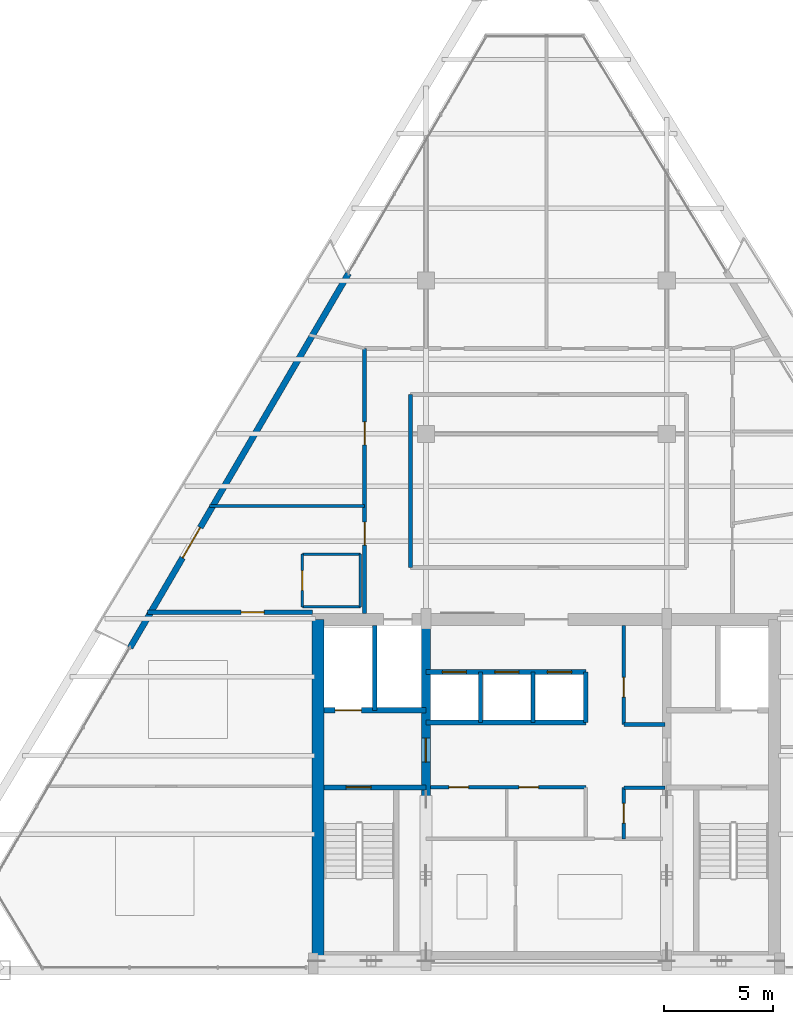
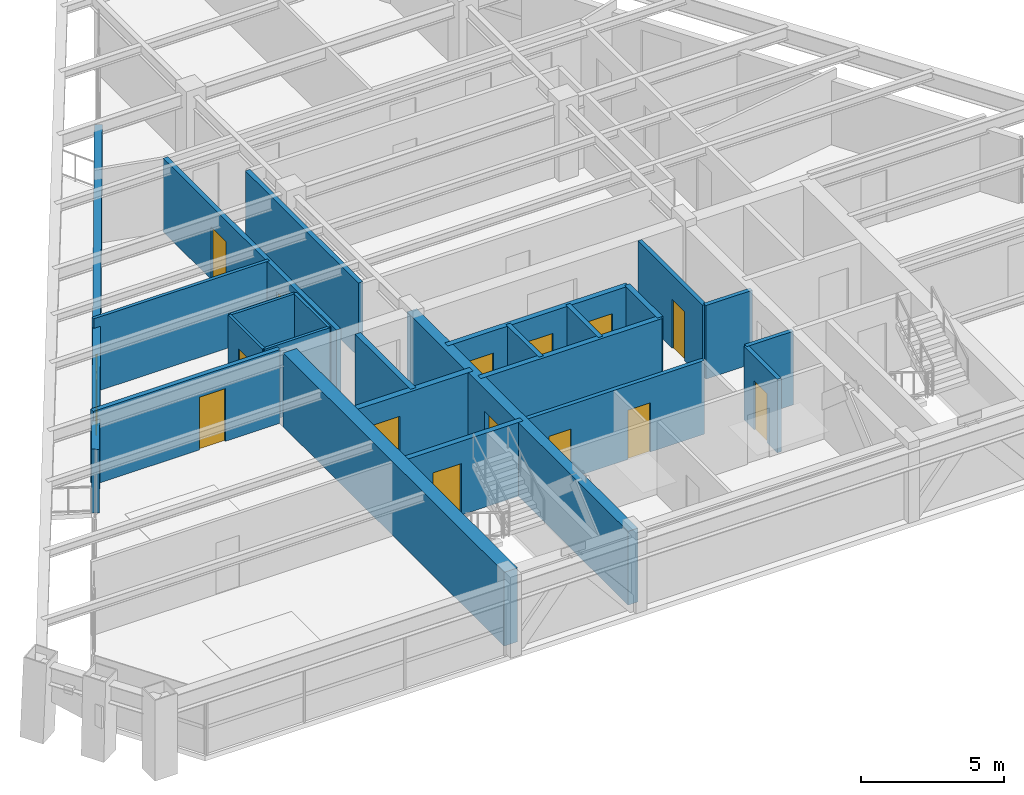
# One storey, part 9 of 13: 24 walls, 15 doors, 15 openings.
"""IFC4 building model written with IfcOpenShell, lengths in metres."""

from ifc_helpers import new_model, si_unit, direction, frame, frame_2d, origin, place, context, subcontext, project, spatial, rectangle, extrude, source, transform, mapped, material, layer, layer_set, type_object, type_shapes, element, fill, save


model = new_model("IFC4")

# Units and contexts
model_context = context("Model", 3, precision=1e-05, world=origin(), true_north=direction((0.0, 1.0)))
body_context = subcontext(model_context, "Body", "Model", "MODEL_VIEW")
ifc_project = project(units=[si_unit("LENGTHUNIT", "METRE"), si_unit("AREAUNIT", "SQUARE_METRE"), si_unit("VOLUMEUNIT", "CUBIC_METRE"), si_unit("PLANEANGLEUNIT", "RADIAN"), si_unit("MASSUNIT", "GRAM", prefix="KILO")], contexts=[model_context])

# Site, building, storey
site_placement = place(None, origin())
site = spatial("IfcSite", under=ifc_project, at=site_placement, CompositionType="ELEMENT")
building_placement = place(site_placement, origin())
building = spatial("IfcBuilding", under=site, at=building_placement, Name="Varnakhor Terracotta Tower", CompositionType="ELEMENT")
storey_placement = place(building_placement, frame((0.0, 0.0, 254.5)))
storey = spatial("IfcBuildingStorey", under=building, at=storey_placement, Name="L66", CompositionType="ELEMENT", Elevation=254.5)

# Walls
ifc_material_1 = material(Name="Moisture-Resistant Tile-Backed Partition", Category="gypsum")
ifc_layer_1 = layer(ifc_material_1, 0.114990234375, Name="Moisture-Resistant Tile-Backed Partition")
ifc_layer_set_1 = layer_set([ifc_layer_1], Name="Moisture-Resistant Tile-Backed Partition")
wall_type_1 = type_object("IfcWallType", Name="WAL-BATH-115", PredefinedType="PARTITIONING", material=ifc_layer_set_1)
for number, where, z_axis, x_axis, name in (
    (1, (-11.14990234375, 16.60009765625, 0.0), (0.0, 0.0, 1.0), (1.0, 0.0, 0.0), "L66 En-Suite 1 Wall S"),
    (2, (-11.14990234375, 19.0, 0.0), (0.0, 0.0, 1.0), (1.0, 0.0, 0.0), "L66 En-Suite 1 Wall N"),
):
    element("IfcWall", number, at=place(storey_placement, frame(where, z_axis=z_axis, x_axis=x_axis)), inside=storey, type_object=wall_type_1, Name=name, PredefinedType="PARTITIONING", context=body_context, shape_type="SweptSolid", body=[
        extrude(rectangle(XDim=2.64990234375, YDim=0.114990234375, at=frame_2d((1.324951171875, 0.0))), origin(), (0.0, 0.0, 1.0), 3.14208984375),
    ])

# Wall, opening, door
wall_1_placement = place(storey_placement, frame((-11.14990234375, 16.60009765625, 0.0), z_axis=(0.0, 0.0, 1.0), x_axis=(0.0, 1.0, 0.0)))
wall_1 = element("IfcWall", 3, at=wall_1_placement, inside=storey, type_object=wall_type_1, Name="L66 En-Suite 1 Wall W", PredefinedType="PARTITIONING", context=body_context, shape_type="SweptSolid", body=[
    extrude(rectangle(XDim=2.39990234375, YDim=0.114990234375, at=frame_2d((1.199951171875, 0.0))), origin(), (0.0, 0.0, 1.0), 3.14208984375),
])
opening_1_placement = place(wall_1_placement, frame((0.75, 0.0, 0.0)))
opening_1 = element("IfcOpeningElement", 4, at=opening_1_placement, cuts=wall_1, Name="Opening DR-93", PredefinedType="OPENING", context=body_context, shape_type="SweptSolid", body=[
    extrude(rectangle(XDim=0.89990234375, YDim=2.14990234375, at=frame_2d((0.449951171875, 1.074951171875))), frame((0.0, 0.0673828125, 0.0), z_axis=(0.0, -1.0, 0.0), x_axis=(1.0, 0.0, 0.0)), (0.0, 0.0, 1.0), 0.135009765625),
])
ifc_material_2 = material(Name="Moisture-Resistant Accessible Bathroom Door", Category="wood")
door_type_1 = type_object("IfcDoorType", Name="DR-BATH-900X2150", OperationType="NOTDEFINED", PredefinedType="DOOR", material=ifc_material_2)
shared_shape_1 = source(origin(), body_context, "Body", "SweptSolid", [
    extrude(rectangle(XDim=0.89990234375, YDim=2.14990234375, at=frame_2d((0.449951171875, 1.074951171875))), frame((0.0, 0.02490234375, 0.0), z_axis=(0.0, -1.0, 0.0), x_axis=(1.0, 0.0, 0.0)), (0.0, 0.0, 1.0), 0.050048828125),
])
type_shapes(door_type_1, [shared_shape_1])
door_1_placement = place(opening_1_placement, origin())
door_1 = element("IfcDoor", 5, at=door_1_placement, inside=storey, type_object=door_type_1, Name="L66 En-Suite Bathroom 1 Door", OperationType="SINGLE_SWING_RIGHT", OverallHeight=2.14990234375, OverallWidth=0.89990234375, PredefinedType="DOOR", context=body_context, shape_type="MappedRepresentation", body=[
    mapped(shared_shape_1, transform((0.0, 0.0, 0.0), scale=1.0)),
])
fill(opening_1, door_1)

# Walls
wall_2_placement = place(storey_placement, frame((-8.5, 16.60009765625, 0.0), z_axis=(0.0, 0.0, 1.0), x_axis=(0.0, 1.0, 0.0)))
element("IfcWall", 6, at=wall_2_placement, inside=storey, type_object=wall_type_1, Name="L66 En-Suite 1 Wall E", PredefinedType="PARTITIONING", context=body_context, shape_type="SweptSolid", body=[
    extrude(rectangle(XDim=2.39990234375, YDim=0.114990234375, at=frame_2d((1.199951171875, 0.0))), origin(), (0.0, 0.0, 1.0), 3.14208984375),
])
ifc_material_3 = material(Name="Concrete C50/60", Category="concrete")
ifc_layer_2 = layer(ifc_material_3, 0.550048828125, Name="Concrete C50/60")
ifc_layer_set_2 = layer_set([ifc_layer_2], Name="Concrete C50/60")
wall_type_2 = type_object("IfcWallType", Name="WAL-CORE-550", PredefinedType="SHEAR", material=ifc_layer_set_2)
wall_3_placement = place(storey_placement, frame((-10.425048828125, 0.574951171875, 0.0), z_axis=(0.0, 0.0, 1.0), x_axis=(0.0, 1.0, 0.0)))
element("IfcWall", 7, at=wall_3_placement, inside=storey, type_object=wall_type_2, Name="L66 West Core Shear Wall", PredefinedType="SHEAR", context=body_context, shape_type="SweptSolid", body=[
    extrude(rectangle(XDim=15.449951171875, YDim=0.550048828125, at=frame_2d((7.72509765625, 0.0))), origin(), (0.0, 0.0, 1.0), 3.14990234375),
])

# Wall, opening, door
ifc_layer_3 = layer(ifc_material_3, 0.39990234375, Name="Concrete C50/60")
ifc_layer_set_3 = layer_set([ifc_layer_3], Name="Concrete C50/60")
wall_type_3 = type_object("IfcWallType", Name="WAL-CORE-WEB-400", PredefinedType="SHEAR", material=ifc_layer_set_3)
wall_4_placement = place(storey_placement, frame((-5.5, 0.574951171875, 0.0), z_axis=(0.0, 0.0, 1.0), x_axis=(0.0, 1.0, 0.0)))
wall_4 = element("IfcWall", 8, at=wall_4_placement, inside=storey, type_object=wall_type_3, Name="L66 West Core Web Shear Wall", PredefinedType="SHEAR", context=body_context, shape_type="SweptSolid", body=[
    extrude(rectangle(XDim=15.449951171875, YDim=0.39990234375, at=frame_2d((7.72509765625, 0.0))), origin(), (0.0, 0.0, 1.0), 3.14990234375),
])
opening_2_placement = place(wall_4_placement, frame((8.925048828125, 0.0, 0.0)))
opening_2 = element("IfcOpeningElement", 9, at=opening_2_placement, cuts=wall_4, Name="Opening DR-25", PredefinedType="OPENING", context=body_context, shape_type="SweptSolid", body=[
    extrude(rectangle(XDim=1.10009765625, YDim=2.199951171875, at=frame_2d((0.550048828125, 1.10009765625))), frame((0.0, 0.2099609375, 0.0), z_axis=(0.0, -1.0, 0.0), x_axis=(1.0, 0.0, 0.0)), (0.0, 0.0, 1.0), 0.419921875),
])
ifc_material_4 = material(Name="Firefighting Lobby Self-Closing Fire Door", Category="steel")
door_type_2 = type_object("IfcDoorType", Name="DR-FFL-1100X2200", OperationType="NOTDEFINED", PredefinedType="DOOR", material=ifc_material_4)
shared_shape_2 = source(origin(), body_context, "Body", "SweptSolid", [
    extrude(rectangle(XDim=1.10009765625, YDim=2.199951171875, at=frame_2d((0.550048828125, 1.10009765625))), frame((0.0, 0.02490234375, 0.0), z_axis=(0.0, -1.0, 0.0), x_axis=(1.0, 0.0, 0.0)), (0.0, 0.0, 1.0), 0.050048828125),
])
type_shapes(door_type_2, [shared_shape_2])
door_2_placement = place(opening_2_placement, origin())
door_2 = element("IfcDoor", 10, at=door_2_placement, inside=storey, type_object=door_type_2, Name="L66 West Firefighting Lobby Door", OperationType="SINGLE_SWING_RIGHT", OverallHeight=2.199951171875, OverallWidth=1.10009765625, PredefinedType="DOOR", context=body_context, shape_type="MappedRepresentation", body=[
    mapped(shared_shape_2, transform((0.0, 0.0, 0.0), scale=1.0)),
])
fill(opening_2, door_2)

# Wall
ifc_material_5 = material(Name="Fire-Rated Gypsum Stud Partition", Category="gypsum")
ifc_layer_4 = layer(ifc_material_5, 0.18505859375, Name="Fire-Rated Gypsum Stud Partition")
ifc_layer_set_4 = layer_set([ifc_layer_4], Name="Fire-Rated Gypsum Stud Partition")
wall_type_4 = type_object("IfcWallType", Name="WAL-CORR-185", PredefinedType="PARTITIONING", material=ifc_layer_set_4)
wall_5_placement = place(storey_placement, frame((-6.199951171875, 18.39990234375, 0.0), z_axis=(0.0, 0.0, 1.0), x_axis=(0.0, 1.0, 0.0)))
element("IfcWall", 11, at=wall_5_placement, inside=storey, type_object=wall_type_4, Name="L66 Ring Inner West Wall", PredefinedType="PARTITIONING", context=body_context, shape_type="SweptSolid", body=[
    extrude(rectangle(XDim=7.900146484375, YDim=0.18505859375, at=frame_2d((3.9501953125, 0.0))), origin(), (0.0, 0.0, 1.0), 3.14208984375),
])

# Wall, openings, doors
wall_6_placement = place(storey_placement, frame((-8.300048828125, 16.300048828125, 0.0), z_axis=(0.0, 0.0, 1.0), x_axis=(0.0, 1.0, 0.0)))
wall_6 = element("IfcWall", 12, at=wall_6_placement, inside=storey, type_object=wall_type_4, Name="L66 Hotel West Corridor Wall", PredefinedType="PARTITIONING", context=body_context, shape_type="SweptSolid", body=[
    extrude(rectangle(XDim=12.099853515625, YDim=0.18505859375, at=frame_2d((6.0498046875, 0.0))), origin(), (0.0, 0.0, 1.0), 3.14208984375),
])
opening_3_placement = place(wall_6_placement, frame((3.118408203125, 0.0, 0.0)))
opening_3 = element("IfcOpeningElement", 13, at=opening_3_placement, cuts=wall_6, Name="Opening DR-95", PredefinedType="OPENING", context=body_context, shape_type="SweptSolid", body=[
    extrude(rectangle(XDim=1.050048828125, YDim=2.25, at=frame_2d((0.52490234375, 1.125))), frame((0.0, 0.1025390625, 0.0), z_axis=(0.0, -1.0, 0.0), x_axis=(1.0, 0.0, 0.0)), (0.0, 0.0, 1.0), 0.205078125),
])
opening_4_placement = place(wall_6_placement, frame((7.69580078125, 0.0, 0.0)))
opening_4 = element("IfcOpeningElement", 14, at=opening_4_placement, cuts=wall_6, Name="Opening DR-95", PredefinedType="OPENING", context=body_context, shape_type="SweptSolid", body=[
    extrude(rectangle(XDim=1.050048828125, YDim=2.25, at=frame_2d((0.52490234375, 1.125))), frame((0.0, 0.1025390625, 0.0), z_axis=(0.0, -1.0, 0.0), x_axis=(1.0, 0.0, 0.0)), (0.0, 0.0, 1.0), 0.205078125),
])
ifc_material_6 = material(Name="Solid-Core Timber Tenant/Hotel Entrance Door", Category="wood")
door_type_3 = type_object("IfcDoorType", Name="DR-SUITE-1050X2250", OperationType="NOTDEFINED", PredefinedType="DOOR", material=ifc_material_6)
shared_shape_3 = source(origin(), body_context, "Body", "SweptSolid", [
    extrude(rectangle(XDim=1.050048828125, YDim=2.25, at=frame_2d((0.52490234375, 1.125))), frame((0.0, 0.02490234375, 0.0), z_axis=(0.0, -1.0, 0.0), x_axis=(1.0, 0.0, 0.0)), (0.0, 0.0, 1.0), 0.050048828125),
])
type_shapes(door_type_3, [shared_shape_3])
door_3_placement = place(opening_3_placement, origin())
door_3 = element("IfcDoor", 15, at=door_3_placement, inside=storey, type_object=door_type_3, Name="L66 West Room 1 Entry Door", OperationType="SINGLE_SWING_LEFT", OverallHeight=2.25, OverallWidth=1.050048828125, PredefinedType="DOOR", context=body_context, shape_type="MappedRepresentation", body=[
    mapped(shared_shape_3, transform((0.0, 0.0, 0.0), scale=1.0)),
])
fill(opening_3, door_3)
door_4_placement = place(opening_4_placement, origin())
door_4 = element("IfcDoor", 16, at=door_4_placement, inside=storey, type_object=door_type_3, Name="L66 West Room 2 Entry Door", OperationType="SINGLE_SWING_LEFT", OverallHeight=2.25, OverallWidth=1.050048828125, PredefinedType="DOOR", context=body_context, shape_type="MappedRepresentation", body=[
    mapped(shared_shape_3, transform((0.0, 0.0, 0.0), scale=1.0)),
])
fill(opening_4, door_4)

# Wall, opening, door
wall_7_placement = place(storey_placement, frame((-18.22021484375, 16.35009765625, 0.0), z_axis=(0.0, 0.0, 1.0), x_axis=(1.0, 0.0, 0.0)))
wall_7 = element("IfcWall", 17, at=wall_7_placement, inside=storey, type_object=wall_type_4, Name="L66 South West Guest Entry Wall", PredefinedType="PARTITIONING", context=body_context, shape_type="SweptSolid", body=[
    extrude(rectangle(XDim=7.540283203125, YDim=0.18505859375, at=frame_2d((3.77001953125, 0.0))), origin(), (0.0, 0.0, 1.0), 3.14208984375),
])
opening_5_placement = place(wall_7_placement, frame((4.274169921875, 0.0, 0.0)))
opening_5 = element("IfcOpeningElement", 18, at=opening_5_placement, cuts=wall_7, Name="Opening DR-95", PredefinedType="OPENING", context=body_context, shape_type="SweptSolid", body=[
    extrude(rectangle(XDim=1.050048828125, YDim=2.25, at=frame_2d((0.52490234375, 1.125))), frame((0.0, 0.1025390625, 0.0), z_axis=(0.0, -1.0, 0.0), x_axis=(1.0, 0.0, 0.0)), (0.0, 0.0, 1.0), 0.205078125),
])
door_5_placement = place(opening_5_placement, origin())
door_5 = element("IfcDoor", 19, at=door_5_placement, inside=storey, type_object=door_type_3, Name="L66 SW Suite Entry Door", OperationType="SINGLE_SWING_LEFT", OverallHeight=2.25, OverallWidth=1.050048828125, PredefinedType="DOOR", context=body_context, shape_type="MappedRepresentation", body=[
    mapped(shared_shape_3, transform((0.0, 0.0, 0.0), scale=1.0)),
])
fill(opening_5, door_5)

ifc_material_7 = material(Name="Extruded Architectural Terracotta Assembly", Category="masonry")
ifc_layer_5 = layer(ifc_material_7, 0.280029296875, Name="Extruded Architectural Terracotta Assembly")
ifc_layer_set_5 = layer_set([ifc_layer_5], Name="Extruded Architectural Terracotta Assembly")
wall_type_5 = type_object("IfcWallType", Name="WAL-EXT-TERRACOTTA-280", PredefinedType="SOLIDWALL", material=ifc_layer_set_5)
wall_8_placement = place(storey_placement, frame((-19.012939453125, 14.734130859375, 0.0), z_axis=(0.0, 0.0, 1.0), x_axis=(0.504219118022, 0.863575752914, 0.0)))
wall_8 = element("IfcWall", 20, at=wall_8_placement, inside=storey, type_object=wall_type_5, Name="L66 W Loggia Insulated Terracotta Wall", PredefinedType="SOLIDWALL", context=body_context, shape_type="SweptSolid", body=[
    extrude(rectangle(XDim=19.7958984375, YDim=0.280029296875, at=frame_2d((9.89794921875, 0.0))), origin(), (0.0, 0.0, 1.0), 2.72998046875),
])
opening_6_placement = place(wall_8_placement, frame((4.7509765625, 0.0, 0.0)))
opening_6 = element("IfcOpeningElement", 21, at=opening_6_placement, cuts=wall_8, Name="Opening DR-62", PredefinedType="OPENING", context=body_context, shape_type="SweptSolid", body=[
    extrude(rectangle(XDim=1.60009765625, YDim=2.35009765625, at=frame_2d((0.800048828125, 1.175048828125))), frame((0.0, 0.14990234375, 0.0), z_axis=(0.0, -1.0, 0.0), x_axis=(1.0, 0.0, 0.0)), (0.0, 0.0, 1.0), 0.300048828125),
])
ifc_material_8 = material(Name="Thermally Broken Sliding Glass Loggia Door", Category="glass")
door_type_4 = type_object("IfcDoorType", Name="DR-EXT-LOGGIA-1600X2350", OperationType="NOTDEFINED", PredefinedType="DOOR", material=ifc_material_8)
shared_shape_4 = source(origin(), body_context, "Body", "SweptSolid", [
    extrude(rectangle(XDim=1.60009765625, YDim=2.35009765625, at=frame_2d((0.800048828125, 1.175048828125))), frame((0.0, 0.02490234375, 0.0), z_axis=(0.0, -1.0, 0.0), x_axis=(1.0, 0.0, 0.0)), (0.0, 0.0, 1.0), 0.050048828125),
])
type_shapes(door_type_4, [shared_shape_4])
door_6_placement = place(opening_6_placement, origin())
door_6 = element("IfcDoor", 22, at=door_6_placement, inside=storey, type_object=door_type_4, Name="L66 W Recessed Loggia Sliding Door", OperationType="SLIDING_TO_LEFT", OverallHeight=2.35009765625, OverallWidth=1.60009765625, PredefinedType="DOOR", context=body_context, shape_type="MappedRepresentation", body=[
    mapped(shared_shape_4, transform((0.0, 0.0, 0.0), scale=1.0)),
])
fill(opening_6, door_6)

ifc_material_9 = material(Name="Concrete C40/50", Category="concrete")
ifc_layer_6 = layer(ifc_material_9, 0.219970703125, Name="Concrete C40/50")
ifc_layer_set_6 = layer_set([ifc_layer_6], Name="Concrete C40/50")
wall_type_6 = type_object("IfcWallType", Name="WAL-FFLOBBY-220", PredefinedType="SOLIDWALL", material=ifc_layer_set_6)
wall_9_placement = place(storey_placement, frame((-5.5, 8.35009765625, 0.0), z_axis=(0.0, 0.0, 1.0), x_axis=(-1.0, 0.0, 0.0)))
wall_9 = element("IfcWall", 23, at=wall_9_placement, inside=storey, type_object=wall_type_6, Name="L66 West Firefighting Lobby Stair Wall", PredefinedType="SOLIDWALL", context=body_context, shape_type="SweptSolid", body=[
    extrude(rectangle(XDim=4.64990234375, YDim=0.219970703125, at=frame_2d((2.324951171875, 0.0))), origin(), (0.0, 0.0, 1.0), 3.14990234375),
])
opening_7_placement = place(wall_9_placement, frame((2.5, 0.0, 0.0)))
opening_7 = element("IfcOpeningElement", 24, at=opening_7_placement, cuts=wall_9, Name="Opening DR-34", PredefinedType="OPENING", context=body_context, shape_type="SweptSolid", body=[
    extrude(rectangle(XDim=1.14990234375, YDim=2.199951171875, at=frame_2d((0.574951171875, 1.10009765625))), frame((0.0, 0.1201171875, 0.0), z_axis=(0.0, -1.0, 0.0), x_axis=(1.0, 0.0, 0.0)), (0.0, 0.0, 1.0), 0.239990234375),
])
ifc_material_10 = material(Name="Self-Closing Smoke-Sealed Steel Fire Door", Category="steel")
door_type_5 = type_object("IfcDoorType", Name="DR-STAIR-1150X2200", OperationType="NOTDEFINED", PredefinedType="DOOR", material=ifc_material_10)
shared_shape_5 = source(origin(), body_context, "Body", "SweptSolid", [
    extrude(rectangle(XDim=1.14990234375, YDim=2.199951171875, at=frame_2d((0.574951171875, 1.10009765625))), frame((0.0, 0.02490234375, 0.0), z_axis=(0.0, -1.0, 0.0), x_axis=(1.0, 0.0, 0.0)), (0.0, 0.0, 1.0), 0.050048828125),
])
type_shapes(door_type_5, [shared_shape_5])
door_7_placement = place(opening_7_placement, origin())
door_7 = element("IfcDoor", 25, at=door_7_placement, inside=storey, type_object=door_type_5, Name="L66 Exit Stair ST-1 Fire Door", OperationType="SINGLE_SWING_LEFT", OverallHeight=2.199951171875, OverallWidth=1.14990234375, PredefinedType="DOOR", context=body_context, shape_type="MappedRepresentation", body=[
    mapped(shared_shape_5, transform((0.0, 0.0, 0.0), scale=1.0)),
])
fill(opening_7, door_7)

# Walls
ifc_material_11 = material(Name="Acoustic Hotel Room Partition", Category="gypsum")
ifc_layer_7 = layer(ifc_material_11, 0.1298828125, Name="Acoustic Hotel Room Partition")
ifc_layer_set_7 = layer_set([ifc_layer_7], Name="Acoustic Hotel Room Partition")
wall_type_7 = type_object("IfcWallType", Name="WAL-PART-130", PredefinedType="PARTITIONING", material=ifc_layer_set_7)
wall_10_placement = place(storey_placement, frame((-15.38818359375, 21.199951171875, 0.0), z_axis=(0.0, 0.0, 1.0), x_axis=(1.0, 0.0, 0.0)))
element("IfcWall", 26, at=wall_10_placement, inside=storey, type_object=wall_type_7, Name="L66 West Key Cut 1", PredefinedType="PARTITIONING", context=body_context, shape_type="SweptSolid", body=[
    extrude(rectangle(XDim=7.088134765625, YDim=0.1298828125, at=frame_2d((3.5439453125, 0.0))), origin(), (0.0, 0.0, 1.0), 3.14208984375),
])
ifc_layer_8 = layer(ifc_material_9, 0.179931640625, Name="Concrete C40/50")
ifc_layer_set_8 = layer_set([ifc_layer_8], Name="Concrete C40/50")
wall_type_8 = type_object("IfcWallType", Name="WAL-SHAFT-180", PredefinedType="SOLIDWALL", material=ifc_layer_set_8)
for number, where, z_axis, x_axis, name in (
    (27, (-3.0, 11.320068359375, 0.0), (0.0, 0.0, 1.0), (0.0, 1.0, 0.0), "L66 PL-3A Divider"),
    (28, (-0.60009765625, 11.320068359375, 0.0), (0.0, 0.0, 1.0), (0.0, 1.0, 0.0), "L66 PL-3B Divider"),
):
    element("IfcWall", number, at=place(storey_placement, frame(where, z_axis=z_axis, x_axis=x_axis)), inside=storey, type_object=wall_type_8, Name=name, PredefinedType="SOLIDWALL", context=body_context, shape_type="SweptSolid", body=[
        extrude(rectangle(XDim=2.300048828125, YDim=0.179931640625, at=frame_2d((1.14990234375, 0.0))), origin(), (0.0, 0.0, 1.0), 3.14990234375),
    ])
ifc_layer_9 = layer(ifc_material_9, 0.219970703125, Name="Concrete C40/50")
ifc_layer_set_9 = layer_set([ifc_layer_9], Name="Concrete C40/50")
wall_type_9 = type_object("IfcWallType", Name="WAL-SHAFT-220", PredefinedType="SOLIDWALL", material=ifc_layer_set_9)
wall_11_placement = place(storey_placement, frame((-7.840087890625, 11.8701171875, 0.0), z_axis=(0.0, 0.0, 1.0), x_axis=(0.0, 1.0, 0.0)))
element("IfcWall", 29, at=wall_11_placement, inside=storey, type_object=wall_type_9, Name="L66 Lift FFL-1 and SVL-1 Divider Wall", PredefinedType="SOLIDWALL", context=body_context, shape_type="SweptSolid", body=[
    extrude(rectangle(XDim=3.8798828125, YDim=0.219970703125, at=frame_2d((1.93994140625, 0.0))), origin(), (0.0, 0.0, 1.0), 3.14990234375),
])
wall_12_placement = place(storey_placement, frame((-5.5, 11.320068359375, 0.0), z_axis=(0.0, 0.0, 1.0), x_axis=(1.0, 0.0, 0.0)))
element("IfcWall", 30, at=wall_12_placement, inside=storey, type_object=wall_type_9, Name="L66 Bank 3 South Shaft Wall", PredefinedType="SOLIDWALL", context=body_context, shape_type="SweptSolid", body=[
    extrude(rectangle(XDim=7.320068359375, YDim=0.219970703125, at=frame_2d((3.66015625, 0.0))), origin(), (0.0, 0.0, 1.0), 3.14990234375),
])

# Wall, openings, doors
wall_13_placement = place(storey_placement, frame((-5.5, 13.6201171875, 0.0), z_axis=(0.0, 0.0, 1.0), x_axis=(1.0, 0.0, 0.0)))
wall_13 = element("IfcWall", 31, at=wall_13_placement, inside=storey, type_object=wall_type_9, Name="L66 Bank 3 North Shaft Wall", PredefinedType="SOLIDWALL", context=body_context, shape_type="SweptSolid", body=[
    extrude(rectangle(XDim=7.320068359375, YDim=0.219970703125, at=frame_2d((3.66015625, 0.0))), origin(), (0.0, 0.0, 1.0), 3.14990234375),
])
opening_8_placement = place(wall_13_placement, frame((0.75, 0.0, 0.0)))
opening_8 = element("IfcOpeningElement", 32, at=opening_8_placement, cuts=wall_13, Name="Opening LD-01", PredefinedType="OPENING", context=body_context, shape_type="SweptSolid", body=[
    extrude(rectangle(XDim=1.10009765625, YDim=2.199951171875, at=frame_2d((0.550048828125, 1.10009765625))), frame((0.0, 0.1201171875, 0.0), z_axis=(0.0, -1.0, 0.0), x_axis=(1.0, 0.0, 0.0)), (0.0, 0.0, 1.0), 0.239990234375),
])
opening_9_placement = place(wall_13_placement, frame((3.14990234375, 0.0, 0.0)))
opening_9 = element("IfcOpeningElement", 33, at=opening_9_placement, cuts=wall_13, Name="Opening LD-01", PredefinedType="OPENING", context=body_context, shape_type="SweptSolid", body=[
    extrude(rectangle(XDim=1.10009765625, YDim=2.199951171875, at=frame_2d((0.550048828125, 1.10009765625))), frame((0.0, 0.1201171875, 0.0), z_axis=(0.0, -1.0, 0.0), x_axis=(1.0, 0.0, 0.0)), (0.0, 0.0, 1.0), 0.239990234375),
])
opening_10_placement = place(wall_13_placement, frame((5.550048828125, 0.0, 0.0)))
opening_10 = element("IfcOpeningElement", 34, at=opening_10_placement, cuts=wall_13, Name="Opening LD-01", PredefinedType="OPENING", context=body_context, shape_type="SweptSolid", body=[
    extrude(rectangle(XDim=1.10009765625, YDim=2.199951171875, at=frame_2d((0.550048828125, 1.10009765625))), frame((0.0, 0.1201171875, 0.0), z_axis=(0.0, -1.0, 0.0), x_axis=(1.0, 0.0, 0.0)), (0.0, 0.0, 1.0), 0.239990234375),
])
ifc_material_12 = material(Name="Brushed Stainless Steel Sliding Lift Landing Door", Category="steel")
door_type_6 = type_object("IfcDoorType", Name="LD-PASS-1100X2200", OperationType="NOTDEFINED", PredefinedType="DOOR", material=ifc_material_12)
shared_shape_6 = source(origin(), body_context, "Body", "SweptSolid", [
    extrude(rectangle(XDim=1.10009765625, YDim=2.199951171875, at=frame_2d((0.550048828125, 1.10009765625))), frame((0.0, 0.02490234375, 0.0), z_axis=(0.0, -1.0, 0.0), x_axis=(1.0, 0.0, 0.0)), (0.0, 0.0, 1.0), 0.050048828125),
])
type_shapes(door_type_6, [shared_shape_6])
door_8_placement = place(opening_8_placement, origin())
door_8 = element("IfcDoor", 35, at=door_8_placement, inside=storey, type_object=door_type_6, Name="L66 Passenger Lift PL-3A Landing Door", OperationType="SLIDING_TO_RIGHT", OverallHeight=2.199951171875, OverallWidth=1.10009765625, PredefinedType="DOOR", context=body_context, shape_type="MappedRepresentation", body=[
    mapped(shared_shape_6, transform((0.0, 0.0, 0.0), scale=1.0)),
])
fill(opening_8, door_8)
door_9_placement = place(opening_9_placement, origin())
door_9 = element("IfcDoor", 36, at=door_9_placement, inside=storey, type_object=door_type_6, Name="L66 Passenger Lift PL-3B Landing Door", OperationType="SLIDING_TO_RIGHT", OverallHeight=2.199951171875, OverallWidth=1.10009765625, PredefinedType="DOOR", context=body_context, shape_type="MappedRepresentation", body=[
    mapped(shared_shape_6, transform((0.0, 0.0, 0.0), scale=1.0)),
])
fill(opening_9, door_9)
door_10_placement = place(opening_10_placement, origin())
door_10 = element("IfcDoor", 37, at=door_10_placement, inside=storey, type_object=door_type_6, Name="L66 Passenger Lift PL-3C Landing Door", OperationType="SLIDING_TO_RIGHT", OverallHeight=2.199951171875, OverallWidth=1.10009765625, PredefinedType="DOOR", context=body_context, shape_type="MappedRepresentation", body=[
    mapped(shared_shape_6, transform((0.0, 0.0, 0.0), scale=1.0)),
])
fill(opening_10, door_10)

# Wall
wall_14_placement = place(storey_placement, frame((1.800048828125, 11.320068359375, 0.0), z_axis=(0.0, 0.0, 1.0), x_axis=(0.0, 1.0, 0.0)))
element("IfcWall", 38, at=wall_14_placement, inside=storey, type_object=wall_type_9, Name="L66 Bank 3 East Shaft Wall", PredefinedType="SOLIDWALL", context=body_context, shape_type="SweptSolid", body=[
    extrude(rectangle(XDim=2.300048828125, YDim=0.219970703125, at=frame_2d((1.14990234375, 0.0))), origin(), (0.0, 0.0, 1.0), 3.14990234375),
])

# Wall, opening, door
ifc_layer_10 = layer(ifc_material_9, 0.25, Name="Concrete C40/50")
ifc_layer_set_10 = layer_set([ifc_layer_10], Name="Concrete C40/50")
wall_type_10 = type_object("IfcWallType", Name="WAL-SHAFT-250", PredefinedType="SOLIDWALL", material=ifc_layer_set_10)
wall_15_placement = place(storey_placement, frame((-5.5, 11.8701171875, 0.0), z_axis=(0.0, 0.0, 1.0), x_axis=(-1.0, 0.0, 0.0)))
wall_15 = element("IfcWall", 39, at=wall_15_placement, inside=storey, type_object=wall_type_10, Name="L66 Lift FFL-1 Shaft Front Wall", PredefinedType="SOLIDWALL", context=body_context, shape_type="SweptSolid", body=[
    extrude(rectangle(XDim=4.64990234375, YDim=0.25, at=frame_2d((2.324951171875, 0.0))), origin(), (0.0, 0.0, 1.0), 3.14990234375),
])
opening_11_placement = place(wall_15_placement, frame((2.949951171875, 0.0, 0.0)))
opening_11 = element("IfcOpeningElement", 40, at=opening_11_placement, cuts=wall_15, Name="Opening LD-02", PredefinedType="OPENING", context=body_context, shape_type="SweptSolid", body=[
    extrude(rectangle(XDim=1.199951171875, YDim=2.25, at=frame_2d((0.60009765625, 1.125))), frame((0.0, 0.135009765625, 0.0), z_axis=(0.0, -1.0, 0.0), x_axis=(1.0, 0.0, 0.0)), (0.0, 0.0, 1.0), 0.27001953125),
])
ifc_material_13 = material(Name="Firefighting Stretcher Sliding Lift Landing Door", Category="steel")
door_type_7 = type_object("IfcDoorType", Name="LD-FFL-1200X2250", OperationType="NOTDEFINED", PredefinedType="DOOR", material=ifc_material_13)
shared_shape_7 = source(origin(), body_context, "Body", "SweptSolid", [
    extrude(rectangle(XDim=1.199951171875, YDim=2.25, at=frame_2d((0.60009765625, 1.125))), frame((0.0, 0.02490234375, 0.0), z_axis=(0.0, -1.0, 0.0), x_axis=(1.0, 0.0, 0.0)), (0.0, 0.0, 1.0), 0.050048828125),
])
type_shapes(door_type_7, [shared_shape_7])
door_11_placement = place(opening_11_placement, origin())
door_11 = element("IfcDoor", 41, at=door_11_placement, inside=storey, type_object=door_type_7, Name="L66 Firefighting Lift FFL-1 Landing Door", OperationType="SLIDING_TO_LEFT", OverallHeight=2.25, OverallWidth=1.199951171875, PredefinedType="DOOR", context=body_context, shape_type="MappedRepresentation", body=[
    mapped(shared_shape_7, transform((0.0, 0.0, 0.0), scale=1.0)),
])
fill(opening_11, door_11)

ifc_material_14 = material(Name="Acoustic Fire-Rated Partition", Category="gypsum")
ifc_layer_11 = layer(ifc_material_14, 0.1650390625, Name="Acoustic Fire-Rated Partition")
ifc_layer_set_11 = layer_set([ifc_layer_11], Name="Acoustic Fire-Rated Partition")
wall_type_11 = type_object("IfcWallType", Name="WAL-TENANCY-165", PredefinedType="PARTITIONING", material=ifc_layer_set_11)
wall_16_placement = place(storey_placement, frame((3.5400390625, 6.0, 0.0), z_axis=(0.0, 0.0, 1.0), x_axis=(0.0, 1.0, 0.0)))
wall_16 = element("IfcWall", 42, at=wall_16_placement, inside=storey, type_object=wall_type_11, Name="L66 Accessible WC Rated Wall", PredefinedType="PARTITIONING", context=body_context, shape_type="SweptSolid", body=[
    extrude(rectangle(XDim=2.340087890625, YDim=0.1650390625, at=frame_2d((1.169921875, 0.0))), origin(), (0.0, 0.0, 1.0), 3.14208984375),
])
opening_12_placement = place(wall_16_placement, frame((0.719970703125, 0.0, 0.0)))
opening_12 = element("IfcOpeningElement", 43, at=opening_12_placement, cuts=wall_16, Name="Opening DR-67", PredefinedType="OPENING", context=body_context, shape_type="SweptSolid", body=[
    extrude(rectangle(XDim=0.89990234375, YDim=2.10009765625, at=frame_2d((0.449951171875, 1.050048828125))), frame((0.0, 0.092529296875, 0.0), z_axis=(0.0, -1.0, 0.0), x_axis=(1.0, 0.0, 0.0)), (0.0, 0.0, 1.0), 0.18505859375),
])
ifc_material_15 = material(Name="Steel Service Riser Fire Door", Category="steel")
door_type_8 = type_object("IfcDoorType", Name="DR-RISER-900X2100", OperationType="NOTDEFINED", PredefinedType="DOOR", material=ifc_material_15)
shared_shape_8 = source(origin(), body_context, "Body", "SweptSolid", [
    extrude(rectangle(XDim=0.89990234375, YDim=2.10009765625, at=frame_2d((0.449951171875, 1.050048828125))), frame((0.0, 0.02490234375, 0.0), z_axis=(0.0, -1.0, 0.0), x_axis=(1.0, 0.0, 0.0)), (0.0, 0.0, 1.0), 0.050048828125),
])
type_shapes(door_type_8, [shared_shape_8])
door_12_placement = place(opening_12_placement, origin())
door_12 = element("IfcDoor", 44, at=door_12_placement, inside=storey, type_object=door_type_8, Name="L66 Accessible WC Door", OperationType="SINGLE_SWING_LEFT", OverallHeight=2.10009765625, OverallWidth=0.89990234375, PredefinedType="DOOR", context=body_context, shape_type="MappedRepresentation", body=[
    mapped(shared_shape_8, transform((0.0, 0.0, 0.0), scale=1.0)),
])
fill(opening_12, door_12)

# Wall
wall_17_placement = place(storey_placement, frame((3.5400390625, 8.340087890625, 0.0), z_axis=(0.0, 0.0, 1.0), x_axis=(1.0, 0.0, 0.0)))
element("IfcWall", 45, at=wall_17_placement, inside=storey, type_object=wall_type_11, Name="L66 Accessible WC North Wall", PredefinedType="PARTITIONING", context=body_context, shape_type="SweptSolid", body=[
    extrude(rectangle(XDim=1.8798828125, YDim=0.1650390625, at=frame_2d((0.93994140625, 0.0))), origin(), (0.0, 0.0, 1.0), 3.14208984375),
])

# Wall, openings, doors
wall_18_placement = place(storey_placement, frame((-5.300048828125, 8.35009765625, 0.0), z_axis=(0.0, 0.0, 1.0), x_axis=(1.0, 0.0, 0.0)))
wall_18 = element("IfcWall", 46, at=wall_18_placement, inside=storey, type_object=wall_type_11, Name="L66 Reclaimed Mid-Core North Wall", PredefinedType="PARTITIONING", context=body_context, shape_type="SweptSolid", body=[
    extrude(rectangle(XDim=7.1201171875, YDim=0.1650390625, at=frame_2d((3.56005859375, 0.0))), origin(), (0.0, 0.0, 1.0), 3.14208984375),
])
opening_13_placement = place(wall_18_placement, frame((0.85009765625, 0.0, 0.0)))
opening_13 = element("IfcOpeningElement", 47, at=opening_13_placement, cuts=wall_18, Name="Opening DR-67", PredefinedType="OPENING", context=body_context, shape_type="SweptSolid", body=[
    extrude(rectangle(XDim=0.89990234375, YDim=2.10009765625, at=frame_2d((0.449951171875, 1.050048828125))), frame((0.0, 0.092529296875, 0.0), z_axis=(0.0, -1.0, 0.0), x_axis=(1.0, 0.0, 0.0)), (0.0, 0.0, 1.0), 0.18505859375),
])
opening_14_placement = place(wall_18_placement, frame((4.050048828125, 0.0, 0.0)))
opening_14 = element("IfcOpeningElement", 48, at=opening_14_placement, cuts=wall_18, Name="Opening DR-67", PredefinedType="OPENING", context=body_context, shape_type="SweptSolid", body=[
    extrude(rectangle(XDim=0.89990234375, YDim=2.10009765625, at=frame_2d((0.449951171875, 1.050048828125))), frame((0.0, 0.092529296875, 0.0), z_axis=(0.0, -1.0, 0.0), x_axis=(1.0, 0.0, 0.0)), (0.0, 0.0, 1.0), 0.18505859375),
])
door_13_placement = place(opening_13_placement, origin())
door_13 = element("IfcDoor", 49, at=door_13_placement, inside=storey, type_object=door_type_8, Name="L66 Core West Restroom Door", OperationType="SINGLE_SWING_RIGHT", OverallHeight=2.10009765625, OverallWidth=0.89990234375, PredefinedType="DOOR", context=body_context, shape_type="MappedRepresentation", body=[
    mapped(shared_shape_8, transform((0.0, 0.0, 0.0), scale=1.0)),
])
fill(opening_13, door_13)
door_14_placement = place(opening_14_placement, origin())
door_14 = element("IfcDoor", 50, at=door_14_placement, inside=storey, type_object=door_type_8, Name="L66 Core East Restroom Door", OperationType="SINGLE_SWING_LEFT", OverallHeight=2.10009765625, OverallWidth=0.89990234375, PredefinedType="DOOR", context=body_context, shape_type="MappedRepresentation", body=[
    mapped(shared_shape_8, transform((0.0, 0.0, 0.0), scale=1.0)),
])
fill(opening_14, door_14)

# Wall, opening, door
wall_19_placement = place(storey_placement, frame((3.5400390625, 11.219970703125, 0.0), z_axis=(0.0, 0.0, 1.0), x_axis=(0.0, 1.0, 0.0)))
wall_19 = element("IfcWall", 51, at=wall_19_placement, inside=storey, type_object=wall_type_11, Name="L66 Restroom Corridor Wall", PredefinedType="PARTITIONING", context=body_context, shape_type="SweptSolid", body=[
    extrude(rectangle(XDim=4.530029296875, YDim=0.1650390625, at=frame_2d((2.26513671875, 0.0))), origin(), (0.0, 0.0, 1.0), 3.14208984375),
])
opening_15_placement = place(wall_19_placement, frame((1.25, 0.0, 0.0)))
opening_15 = element("IfcOpeningElement", 52, at=opening_15_placement, cuts=wall_19, Name="Opening DR-67", PredefinedType="OPENING", context=body_context, shape_type="SweptSolid", body=[
    extrude(rectangle(XDim=0.89990234375, YDim=2.10009765625, at=frame_2d((0.449951171875, 1.050048828125))), frame((0.0, 0.092529296875, 0.0), z_axis=(0.0, -1.0, 0.0), x_axis=(1.0, 0.0, 0.0)), (0.0, 0.0, 1.0), 0.18505859375),
])
door_15_placement = place(opening_15_placement, origin())
door_15 = element("IfcDoor", 53, at=door_15_placement, inside=storey, type_object=door_type_8, Name="L66 Female WC Door", OperationType="SINGLE_SWING_RIGHT", OverallHeight=2.10009765625, OverallWidth=0.89990234375, PredefinedType="DOOR", context=body_context, shape_type="MappedRepresentation", body=[
    mapped(shared_shape_8, transform((0.0, 0.0, 0.0), scale=1.0)),
])
fill(opening_15, door_15)

# Wall
wall_20_placement = place(storey_placement, frame((3.5400390625, 11.219970703125, 0.0), z_axis=(0.0, 0.0, 1.0), x_axis=(1.0, 0.0, 0.0)))
element("IfcWall", 54, at=wall_20_placement, inside=storey, type_object=wall_type_11, Name="L66 Restroom South Wall", PredefinedType="PARTITIONING", context=body_context, shape_type="SweptSolid", body=[
    extrude(rectangle(XDim=1.8798828125, YDim=0.1650390625, at=frame_2d((0.93994140625, 0.0))), origin(), (0.0, 0.0, 1.0), 3.14208984375),
])

save(model, "model.ifc")
